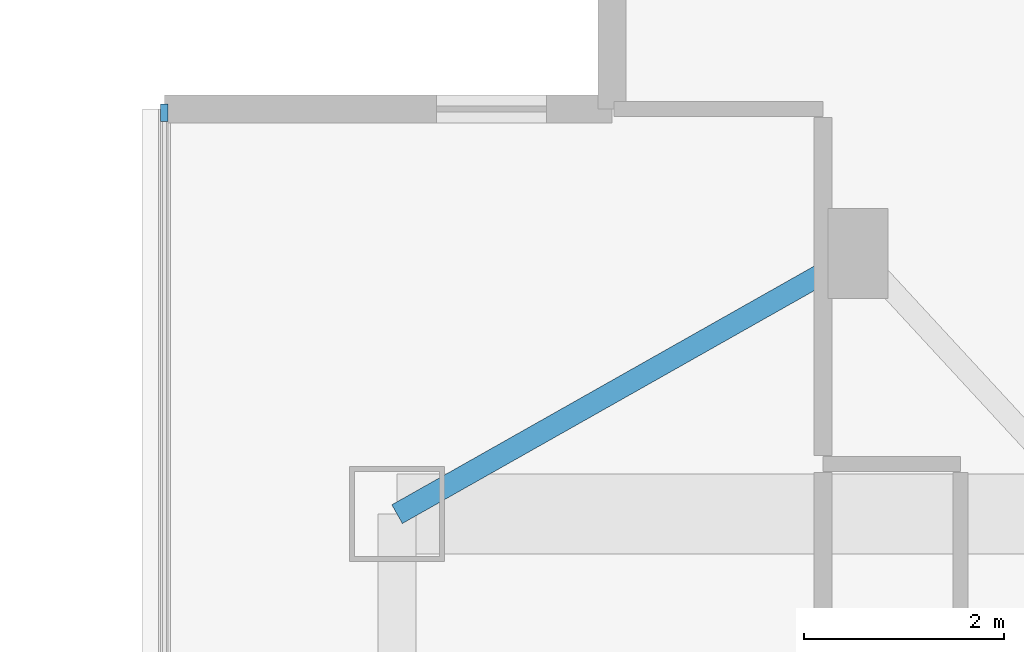
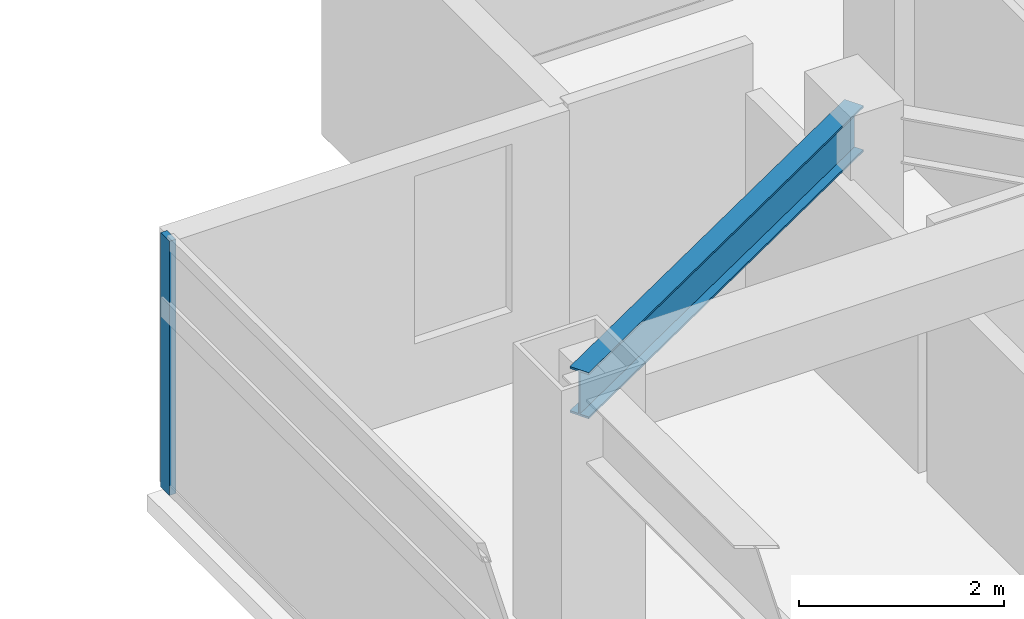
# One storey, part 6 of 26: 1 beam, 1 member, 1 element without a shape of its own.
"""IFC4 building model written with IfcOpenShell, lengths in metres."""

from ifc_helpers import new_model, si_unit, direction, frame, origin, origin_2d, place, context, subcontext, project, spatial, rectangle, i_section, extrude, material, material_profile, profile_set, type_object, element, aggregate, save


model = new_model("IFC4")

# Units and contexts
model_context = context("Model", 3, precision=1e-05, world=origin(), true_north=direction((0.0, 1.0)))
body_context = subcontext(model_context, "Body", "Model", "MODEL_VIEW")
ifc_project = project(units=[si_unit("LENGTHUNIT", "METRE"), si_unit("AREAUNIT", "SQUARE_METRE"), si_unit("VOLUMEUNIT", "CUBIC_METRE"), si_unit("PLANEANGLEUNIT", "RADIAN"), si_unit("MASSUNIT", "GRAM", prefix="KILO")], contexts=[model_context])

# Site, building, storey
site_placement = place(None, origin())
site = spatial("IfcSite", under=ifc_project, at=site_placement, CompositionType="ELEMENT")
building_placement = place(site_placement, origin())
building = spatial("IfcBuilding", under=site, at=building_placement, Name="Mirazonda Arch Towers", CompositionType="ELEMENT")
storey_placement = place(building_placement, frame((0.0, 0.0, 170.64990234375)))
storey = spatial("IfcBuildingStorey", under=building, at=storey_placement, Name="L48", CompositionType="ELEMENT", Elevation=170.64990234375)

# Beam
ifc_material_1 = material(Name="Steel ASTM A992 Grade 50", Category="steel")
ifc_material_profile_1 = material_profile(ifc_material_1, i_section(OverallWidth=0.214111328125, OverallDepth=0.549072265625, WebThickness=0.0146484375, FlangeThickness=0.023681640625, at=origin_2d()), Name="W21X93")
ifc_profile_set_1 = profile_set([ifc_material_profile_1], Name="Steel ASTM A992 Grade 50")
beam_type = type_object("IfcBeamType", Name="BM-INT-W21X93", PredefinedType="BEAM", material=ifc_profile_set_1)
beam_placement = place(storey_placement, frame((65.60009765625, 37.800048828125, 2.775634765625), z_axis=(-0.870559396632, -0.492063346467, 0.0), x_axis=(0.492063346467, -0.870559396632, 0.0)))
element("IfcBeam", 1, at=beam_placement, inside=storey, type_object=beam_type, Name="L48 Floor Beam BM-T2-L48-PL-NW2", PredefinedType="BEAM", context=body_context, shape_type="SweptSolid", body=[
    extrude(i_section(OverallWidth=0.214111328125, OverallDepth=0.549072265625, WebThickness=0.0146484375, FlangeThickness=0.023681640625, at=origin_2d()), origin(), (0.0, 0.0, 1.0), 5.2841796875),
])

# Curtain wall, member
ifc_material_2 = material(Name="Anodised Aluminium and Low-E Glass", Category="aluminium")
curtain_wall_type = type_object("IfcCurtainWallType", Name="CW-RES-UNIT", PredefinedType="NOTDEFINED", material=ifc_material_2)
curtain_wall_placement = place(storey_placement, origin())
curtain_wall = element("IfcCurtainWall", 2, at=curtain_wall_placement, inside=storey, type_object=curtain_wall_type, Name="L48 T2 W Facade CW-L48-T2-W", PredefinedType="NOTDEFINED")
ifc_material_3 = material(Name="Anodised Aluminium Alloy", Category="aluminium")
ifc_material_profile_2 = material_profile(ifc_material_3, rectangle(XDim=0.074951171875, YDim=0.175048828125, at=origin_2d()), Name="ALU-MULL-75x175")
ifc_profile_set_2 = profile_set([ifc_material_profile_2], Name="Anodised Aluminium Alloy")
member_type = type_object("IfcMemberType", Name="MULL-CW-RES-UNIT", PredefinedType="MULLION", material=ifc_profile_set_2)
member_placement = place(storey_placement, frame((58.677490234375, 39.205322265625, 0.0), z_axis=(0.0, 0.0, 1.0), x_axis=(1.0, 0.0, 0.0)))
member = element("IfcMember", 3, at=member_placement, type_object=member_type, Name="CW-104 mullion 1", PredefinedType="MULLION", context=body_context, shape_type="SweptSolid", body=[
    extrude(rectangle(XDim=0.074951171875, YDim=0.175048828125, at=origin_2d()), origin(), (0.0, 0.0, 1.0), 3.030029296875),
])
aggregate(curtain_wall, [member])

save(model, "model.ifc")
